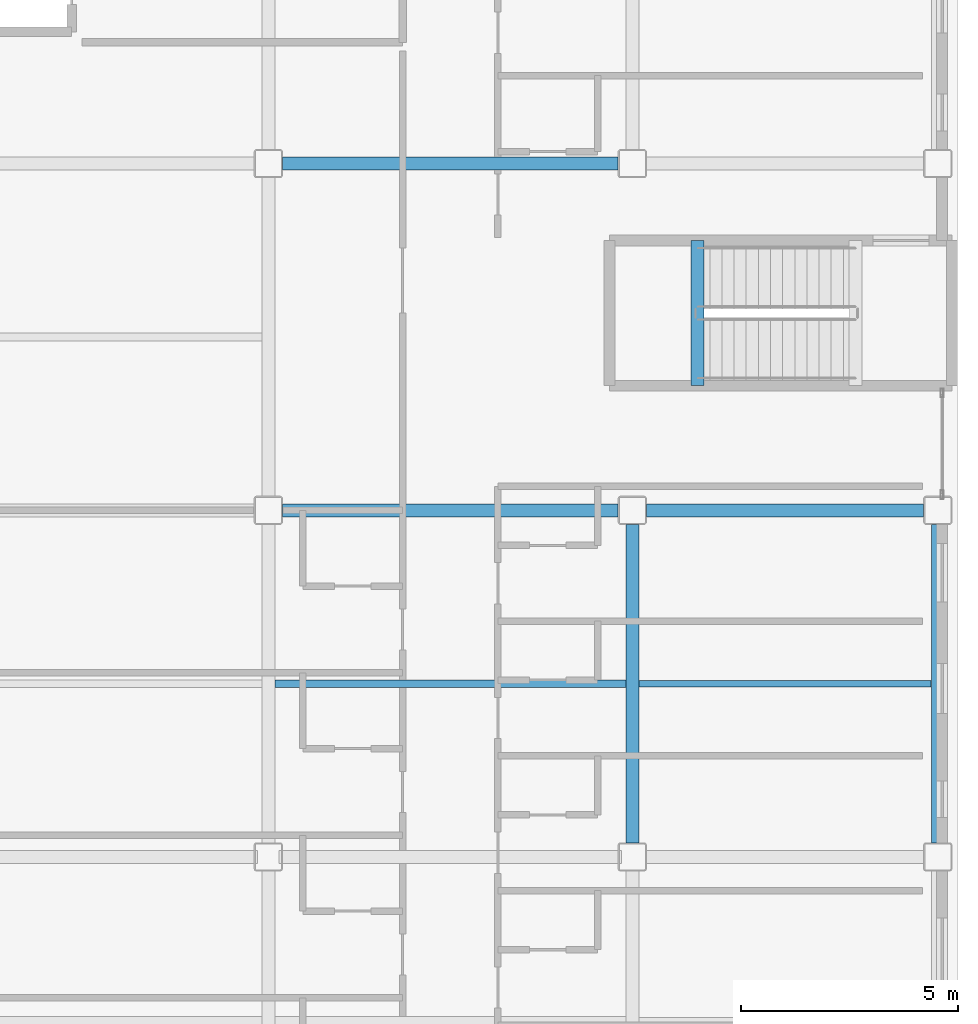
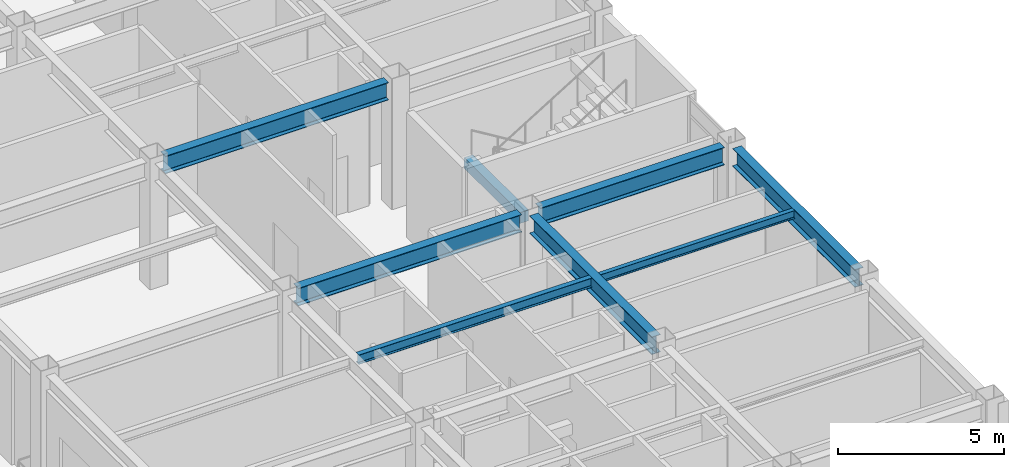
# One storey, part 22 of 61: 8 beams.
"""IFC4 building model written with IfcOpenShell, lengths in metres."""

from ifc_helpers import new_model, si_unit, direction, frame, origin, origin_2d, place, context, subcontext, project, spatial, rectangle, i_section, extrude, material, material_profile, profile_set, type_object, element, save


model = new_model("IFC4")

# Units and contexts
model_context = context("Model", 3, precision=1e-05, world=origin(), true_north=direction((0.0, 1.0)))
body_context = subcontext(model_context, "Body", "Model", "MODEL_VIEW")
ifc_project = project(units=[si_unit("LENGTHUNIT", "METRE"), si_unit("AREAUNIT", "SQUARE_METRE"), si_unit("VOLUMEUNIT", "CUBIC_METRE"), si_unit("PLANEANGLEUNIT", "RADIAN"), si_unit("MASSUNIT", "GRAM", prefix="KILO")], contexts=[model_context])

# Site, building, storey
site_placement = place(None, origin())
site = spatial("IfcSite", under=ifc_project, at=site_placement, CompositionType="ELEMENT")
building_placement = place(site_placement, origin())
building = spatial("IfcBuilding", under=site, at=building_placement, Name="Kazehara Bluff Congress Hotel", CompositionType="ELEMENT")
storey_placement = place(building_placement, frame((0.0, 0.0, 19.800048828125)))
storey = spatial("IfcBuildingStorey", under=building, at=storey_placement, Name="L04", CompositionType="ELEMENT", Elevation=19.800048828125)

# Beams
ifc_material_1 = material(Name="Steel SN490B", Category="steel")
ifc_material_profile_1 = material_profile(ifc_material_1, i_section(OverallWidth=0.300048828125, OverallDepth=0.64990234375, WebThickness=0.011962890625, FlangeThickness=0.02001953125, FilletRadius=0.012939453125, at=origin_2d()))
ifc_profile_set_1 = profile_set([ifc_material_profile_1], Name="Steel SN490B")
beam_type_1 = type_object("IfcBeamType", Name="TP-G-03", PredefinedType="BEAM", material=ifc_profile_set_1)
for number, where, z_axis, x_axis, name in (
    (1, (160.5, 8.324951171875, 4.2548828125), (0.0, 1.0, 0.0), (-1.0, 0.0, 0.0), "L04 girder G-03 57"),
    (2, (167.550048828125, 8.324951171875, 4.2548828125), (0.0, 1.0, 0.0), (-1.0, 0.0, 0.0), "L04 girder G-03 68"),
):
    element("IfcBeam", number, at=place(storey_placement, frame(where, z_axis=z_axis, x_axis=x_axis)), inside=storey, type_object=beam_type_1, Name=name, PredefinedType="BEAM", context=body_context, shape_type="SweptSolid", body=[
        extrude(i_section(OverallWidth=0.300048828125, OverallDepth=0.64990234375, WebThickness=0.011962890625, FlangeThickness=0.02001953125, FilletRadius=0.012939453125, at=origin_2d()), origin(), (0.0, 0.0, 1.0), 7.35009765625),
    ])
beam_1_placement = place(storey_placement, frame((152.425048828125, 16.0, 4.2548828125), z_axis=(1.0, 0.0, 0.0), x_axis=(0.0, 1.0, 0.0)))
element("IfcBeam", 3, at=beam_1_placement, inside=storey, type_object=beam_type_1, Name="L04 girder G-03 85", PredefinedType="BEAM", context=body_context, shape_type="SweptSolid", body=[
    extrude(i_section(OverallWidth=0.300048828125, OverallDepth=0.64990234375, WebThickness=0.011962890625, FlangeThickness=0.02001953125, FilletRadius=0.012939453125, at=origin_2d()), origin(), (0.0, 0.0, 1.0), 7.75),
])
beam_2_placement = place(storey_placement, frame((160.824951171875, 16.0, 4.2548828125), z_axis=(1.0, 0.0, 0.0), x_axis=(0.0, 1.0, 0.0)))
element("IfcBeam", 4, at=beam_2_placement, inside=storey, type_object=beam_type_1, Name="L04 girder G-03 86", PredefinedType="BEAM", context=body_context, shape_type="SweptSolid", body=[
    extrude(i_section(OverallWidth=0.300048828125, OverallDepth=0.64990234375, WebThickness=0.011962890625, FlangeThickness=0.02001953125, FilletRadius=0.012939453125, at=origin_2d()), origin(), (0.0, 0.0, 1.0), 6.400146484375),
])
beam_3_placement = place(storey_placement, frame((152.425048828125, 24.0, 4.2548828125), z_axis=(1.0, 0.0, 0.0), x_axis=(0.0, 1.0, 0.0)))
element("IfcBeam", 5, at=beam_3_placement, inside=storey, type_object=beam_type_1, Name="L04 girder G-03 88", PredefinedType="BEAM", context=body_context, shape_type="SweptSolid", body=[
    extrude(i_section(OverallWidth=0.300048828125, OverallDepth=0.64990234375, WebThickness=0.011962890625, FlangeThickness=0.02001953125, FilletRadius=0.012939453125, at=origin_2d()), origin(), (0.0, 0.0, 1.0), 7.75),
])
ifc_material_2 = material(Name="Steel SN400B", Category="steel")
ifc_material_profile_2 = material_profile(ifc_material_2, i_section(OverallWidth=0.14990234375, OverallDepth=0.300048828125, WebThickness=0.006591796875, FlangeThickness=0.009033203125, FilletRadius=0.012939453125, at=origin_2d()))
ifc_profile_set_2 = profile_set([ifc_material_profile_2], Name="Steel SN400B")
beam_type_2 = type_object("IfcBeamType", Name="TP-J-01", PredefinedType="JOIST", material=ifc_profile_set_2)
beam_4_placement = place(storey_placement, frame((160.64990234375, 12.0, 4.429931640625), z_axis=(1.0, 0.0, 0.0), x_axis=(0.0, 1.0, 0.0)))
element("IfcBeam", 6, at=beam_4_placement, inside=storey, type_object=beam_type_2, Name="L04 secondary joist J-01 30", PredefinedType="JOIST", context=body_context, shape_type="SweptSolid", body=[
    extrude(i_section(OverallWidth=0.14990234375, OverallDepth=0.300048828125, WebThickness=0.006591796875, FlangeThickness=0.009033203125, FilletRadius=0.012939453125, at=origin_2d()), origin(), (0.0, 0.0, 1.0), 6.75),
])
ifc_material_3 = material(Name="Steel SN400B", Category="steel")
ifc_material_profile_3 = material_profile(ifc_material_3, i_section(OverallWidth=0.175048828125, OverallDepth=0.35009765625, WebThickness=0.007080078125, FlangeThickness=0.010986328125, FilletRadius=0.012939453125, at=origin_2d()))
ifc_profile_set_3 = profile_set([ifc_material_profile_3], Name="Steel SN400B")
beam_type_3 = type_object("IfcBeamType", Name="TP-J-02", PredefinedType="JOIST", material=ifc_profile_set_3)
beam_5_placement = place(storey_placement, frame((152.25, 12.0, 4.405029296875), z_axis=(1.0, 0.0, 0.0), x_axis=(0.0, 1.0, 0.0)))
element("IfcBeam", 7, at=beam_5_placement, inside=storey, type_object=beam_type_3, Name="L04 secondary joist J-02 22", PredefinedType="JOIST", context=body_context, shape_type="SweptSolid", body=[
    extrude(i_section(OverallWidth=0.175048828125, OverallDepth=0.35009765625, WebThickness=0.007080078125, FlangeThickness=0.010986328125, FilletRadius=0.012939453125, at=origin_2d()), origin(), (0.0, 0.0, 1.0), 8.10009765625),
])
ifc_material_4 = material(Name="Concrete C40/50", Category="concrete")
ifc_material_profile_4 = material_profile(ifc_material_4, rectangle(XDim=0.300048828125, YDim=0.39990234375, at=origin_2d()))
ifc_profile_set_4 = profile_set([ifc_material_profile_4], Name="Concrete C40/50")
beam_type_4 = type_object("IfcBeamType", Name="TP-LN-02", PredefinedType="LINTEL", material=ifc_profile_set_4)
beam_6_placement = place(storey_placement, frame((162.010009765625, 22.22509765625, 2.02001953125), z_axis=(0.0, -1.0, 0.0), x_axis=(1.0, 0.0, 0.0)))
element("IfcBeam", 8, at=beam_6_placement, inside=storey, type_object=beam_type_4, Name="L04 ST-10 half-landing support beam 1", PredefinedType="LINTEL", context=body_context, shape_type="SweptSolid", body=[
    extrude(rectangle(XDim=0.300048828125, YDim=0.39990234375, at=origin_2d()), origin(), (0.0, 0.0, 1.0), 3.35009765625),
])

save(model, "model.ifc")
